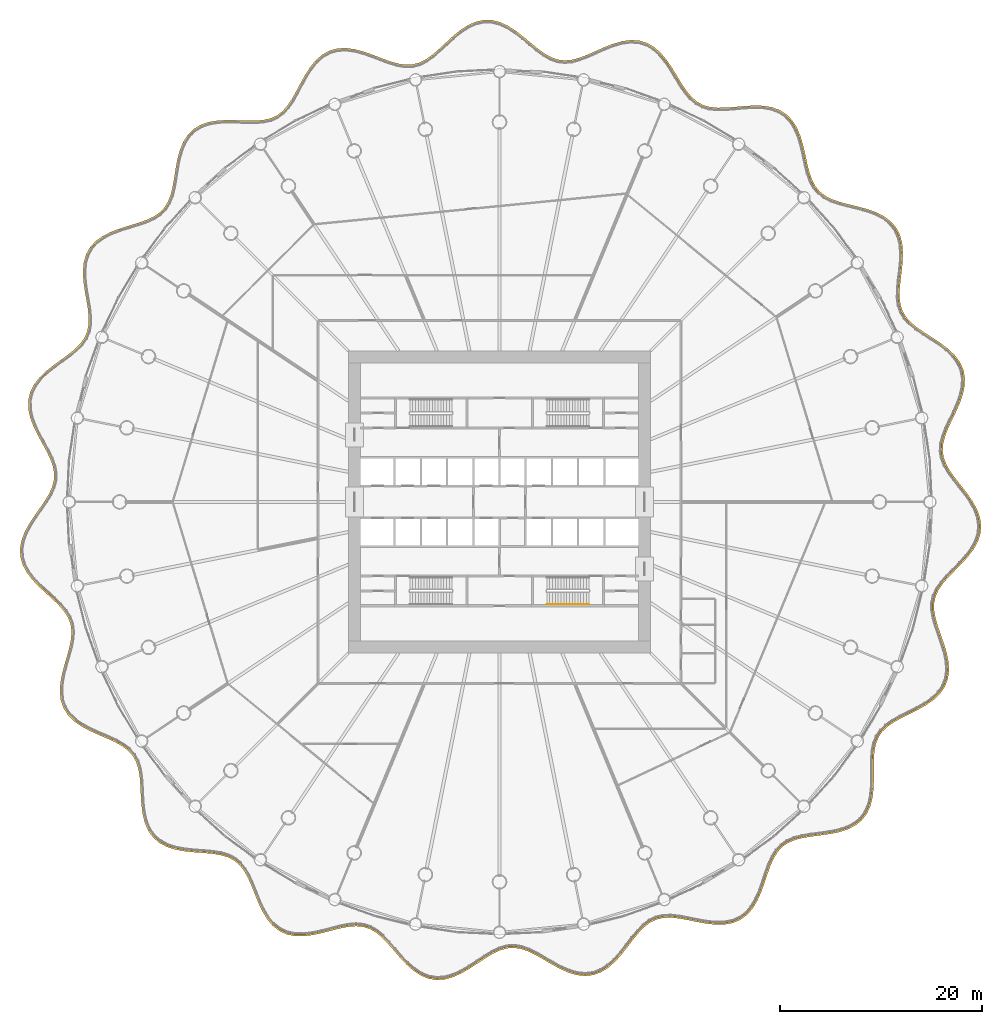
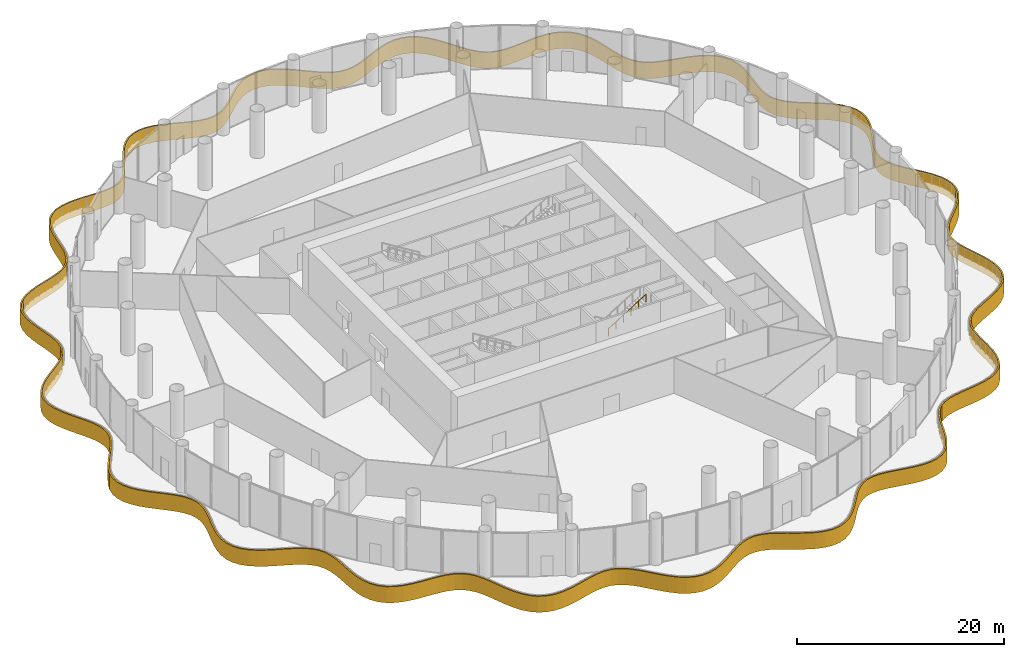
# One storey, part 33 of 37: 1 covering, 1 railing.
"""IFC4 building model written with IfcOpenShell, lengths in metres."""

from ifc_helpers import new_model, si_unit, direction, frame, origin, origin_2d, place, context, subcontext, project, spatial, polyline, circle, outline, extrude, material, layer, layer_set, type_object, element, save


model = new_model("IFC4")

# Units and contexts
model_context = context("Model", 3, precision=1e-05, world=origin(), true_north=direction((0.0, 1.0)))
body_context = subcontext(model_context, "Body", "Model", "MODEL_VIEW")
ifc_project = project(units=[si_unit("LENGTHUNIT", "METRE"), si_unit("AREAUNIT", "SQUARE_METRE"), si_unit("VOLUMEUNIT", "CUBIC_METRE"), si_unit("PLANEANGLEUNIT", "RADIAN"), si_unit("MASSUNIT", "GRAM", prefix="KILO")], contexts=[model_context])

# Site, building, storey
site_placement = place(None, origin())
site = spatial("IfcSite", under=ifc_project, at=site_placement, CompositionType="ELEMENT")
building_placement = place(site_placement, origin())
building = spatial("IfcBuilding", under=site, at=building_placement, Name="Corvane Civic Tower", CompositionType="ELEMENT")
storey_placement = place(building_placement, frame((0.0, 0.0, 11.5)))
storey = spatial("IfcBuildingStorey", under=building, at=storey_placement, Name="L02", CompositionType="ELEMENT", Elevation=11.5)

# Covering
ifc_material_1 = material(Name="Anodised aluminium copper", Category="aluminium")
ifc_layer = layer(ifc_material_1, 0.159912109375)
ifc_layer_set = layer_set([ifc_layer], Name="Anodised aluminium copper")
covering_type = type_object("IfcCoveringType", Name="PODIUM-COV-FASCIA-L02", PredefinedType="CLADDING", material=ifc_layer_set)
covering_placement = place(storey_placement, frame((0.0, 0.0, -0.800048828125)))
element("IfcCovering", 1, at=covering_placement, inside=storey, type_object=covering_type, Name="L02 ribbon fascia", PredefinedType="CLADDING", context=body_context, shape_type="SweptSolid", body=[
    extrude(outline(polyline([(0.847900390625, 47.2431640625), (0.053466796875, 47.6103515625), (-0.7587890625, 47.812744140625), (-1.57666015625, 47.826171875), (-2.384033203125, 47.646728515625), (-3.16796875, 47.292724609375), (-3.92138671875, 46.7978515625), (-4.643798828125, 46.206787109375), (-5.337646484375, 45.570556640625), (-6.008056640625, 44.943359375), (-6.662841796875, 44.377197265625), (-7.310791015625, 43.91650390625), (-7.9609375, 43.59130859375), (-8.6279296875, 43.41552734375), (-9.32763671875, 43.3896484375), (-10.07275390625, 43.502685546875), (-10.8662109375, 43.730712890625), (-11.703125, 44.035888671875), (-12.572509765625, 44.370849609375), (-13.460693359375, 44.68310546875), (-14.3515625, 44.92236328125), (-15.227783203125, 45.041748046875), (-16.071044921875, 45.005615234375), (-16.8623046875, 44.791259765625), (-17.583984375, 44.39599609375), (-18.226806640625, 43.83740234375), (-18.793701171875, 43.1474609375), (-19.29638671875, 42.366943359375), (-19.7529296875, 41.542724609375), (-20.185546875, 40.72412109375), (-20.617919921875, 39.95947265625), (-21.073486328125, 39.289306640625), (-21.57177734375, 38.7421875), (-22.130615234375, 38.3310546875), (-22.76611328125, 38.052734375), (-23.48876953125, 37.89453125), (-24.296875, 37.835205078125), (-25.175537109375, 37.84326171875), (-26.1005859375, 37.877685546875), (-27.04248046875, 37.894287109375), (-27.969970703125, 37.849365234375), (-28.850830078125, 37.70361328125), (-29.65625, 37.42578125), (-30.359375, 36.998779296875), (-30.9404296875, 36.420654296875), (-31.393310546875, 35.70849609375), (-31.727783203125, 34.889892578125), (-31.96630859375, 33.9990234375), (-32.139892578125, 33.073486328125), (-32.284423828125, 32.153076171875), (-32.438720703125, 31.275634765625), (-32.637939453125, 30.474609375), (-32.912841796875, 29.772705078125), (-33.284912109375, 29.1796875), (-33.770751953125, 28.690185546875), (-34.37744140625, 28.289306640625), (-35.100341796875, 27.958984375), (-35.91796875, 27.6748046875), (-36.79638671875, 27.40771484375), (-37.694091796875, 27.125), (-38.5673828125, 26.795166015625), (-39.372802734375, 26.3896484375), (-40.0712890625, 25.88818359375), (-40.630126953125, 25.278564453125), (-41.027587890625, 24.563720703125), (-41.258544921875, 23.759033203125), (-41.337646484375, 22.88720703125), (-41.294921875, 21.972900390625), (-41.169921875, 21.04150390625), (-41.00927734375, 20.118896484375), (-40.861083984375, 19.229248046875), (-40.772216796875, 18.393310546875), (-40.780029296875, 17.625), (-40.911376953125, 16.92919921875), (-41.18115234375, 16.296630859375), (-41.59521484375, 15.712646484375), (-42.1455078125, 15.160400390625), (-42.8076171875, 14.625), (-43.54248046875, 14.089599609375), (-44.301513671875, 13.536376953125), (-45.032470703125, 12.949462890625), (-45.685302734375, 12.31591796875), (-46.214111328125, 11.626708984375), (-46.58203125, 10.88037109375), (-46.76611328125, 10.083740234375), (-46.76123046875, 9.252685546875), (-46.58544921875, 8.404296875), (-46.271484375, 7.552490234375), (-45.8642578125, 6.708984375), (-45.414794921875, 5.8837890625), (-44.976806640625, 5.084228515625), (-44.601806640625, 4.315673828125), (-44.333251953125, 3.579833984375), (-44.200439453125, 2.87353515625), (-44.218017578125, 2.186279296875), (-44.388671875, 1.500732421875), (-44.702392578125, 0.8037109375), (-45.134521484375, 0.0869140625), (-45.64501953125, -0.6533203125), (-46.18408203125, -1.417724609375), (-46.697509765625, -2.20556640625), (-47.132080078125, -3.01318359375), (-47.440185546875, -3.8349609375), (-47.584228515625, -4.661376953125), (-47.540283203125, -5.478271484375), (-47.3046875, -6.27001953125), (-46.8955078125, -7.023681640625), (-46.34619140625, -7.736328125), (-45.701171875, -8.4091796875), (-45.0107421875, -9.049560546875), (-44.32861328125, -9.6669921875), (-43.705810546875, -10.273193359375), (-43.186279296875, -10.8798828125), (-42.801025390625, -11.500244140625), (-42.563232421875, -12.148193359375), (-42.47216796875, -12.8408203125), (-42.5166015625, -13.589599609375), (-42.673095703125, -14.396484375), (-42.905517578125, -15.253173828125), (-43.167236328125, -16.14599609375), (-43.407958984375, -17.056640625), (-43.57763671875, -17.965087890625), (-43.631591796875, -18.849853515625), (-43.53466796875, -19.68994140625), (-43.264892578125, -20.46484375), (-42.8203125, -21.156005859375), (-42.218017578125, -21.755615234375), (-41.489013671875, -22.267578125), (-40.673095703125, -22.70751953125), (-39.81494140625, -23.096435546875), (-38.962158203125, -23.460693359375), (-38.160400390625, -23.827392578125), (-37.44921875, -24.2236328125), (-36.856201171875, -24.671875), (-36.393310546875, -25.190673828125), (-36.05712890625, -25.796142578125), (-35.83447265625, -26.498291015625), (-35.70458984375, -27.294189453125), (-35.637451171875, -28.1669921875), (-35.59521484375, -29.090087890625), (-35.536376953125, -30.0302734375), (-35.418701171875, -30.952392578125), (-35.206787109375, -31.822265625), (-34.87060546875, -32.607177734375), (-34.394287109375, -33.279296875), (-33.77734375, -33.81787109375), (-33.0361328125, -34.2177734375), (-32.197021484375, -34.489501953125), (-31.2919921875, -34.658203125), (-30.35595703125, -34.75732421875), (-29.42529296875, -34.825927734375), (-28.53515625, -34.9052734375), (-27.7158203125, -35.0341796875), (-26.988525390625, -35.2451171875), (-26.36181640625, -35.561279296875), (-25.8291015625, -35.997802734375), (-25.3759765625, -36.56298828125), (-24.984130859375, -37.250244140625), (-24.63232421875, -38.037109375), (-24.293701171875, -38.88818359375), (-23.939208984375, -39.760009765625), (-23.541259765625, -40.605712890625), (-23.074951171875, -41.379638671875), (-22.522216796875, -42.041259765625), (-21.87353515625, -42.556396484375), (-21.1328125, -42.902587890625), (-20.3154296875, -43.0751953125), (-19.442626953125, -43.089599609375), (-18.535888671875, -42.97705078125), (-17.617919921875, -42.77880859375), (-16.710693359375, -42.543212890625), (-15.834228515625, -42.3203125), (-15.005615234375, -42.15771484375), (-14.236083984375, -42.095947265625), (-13.528564453125, -42.162109375), (-12.873779296875, -42.371337890625), (-12.255859375, -42.727783203125), (-11.659423828125, -43.22412109375), (-11.071044921875, -43.83447265625), (-10.477294921875, -44.52001953125), (-9.86474609375, -45.23095703125), (-9.22119140625, -45.913818359375), (-8.538330078125, -46.517578125), (-7.810302734375, -46.99560546875), (-7.0380859375, -47.310302734375), (-6.230712890625, -47.4375), (-5.4033203125, -47.3740234375), (-4.572021484375, -47.136962890625), (-3.748779296875, -46.760009765625), (-2.940673828125, -46.2880859375), (-2.154296875, -45.772705078125), (-1.39208984375, -45.268310546875), (-0.65576171875, -44.82666015625), (0.056396484375, -44.4912109375), (0.75, -44.293212890625), (1.4365234375, -44.245849609375), (2.1328125, -44.351318359375), (2.85205078125, -44.599609375), (3.600341796875, -44.9658203125), (4.378662109375, -45.41064453125), (5.183837890625, -45.884521484375), (6.010498046875, -46.333984375), (6.8505859375, -46.705810546875), (7.695068359375, -46.952880859375), (8.531494140625, -47.03759765625), (9.34375, -46.936279296875), (10.115478515625, -46.6455078125), (10.836181640625, -46.18359375), (11.50341796875, -45.583740234375), (12.123291015625, -44.888671875), (12.705810546875, -44.148681640625), (13.265380859375, -43.416259765625), (13.818115234375, -42.7412109375), (14.37890625, -42.167236328125), (14.9638671875, -41.724609375), (15.587646484375, -41.426513671875), (16.2666015625, -41.27099609375), (17.01318359375, -41.246826171875), (17.826416015625, -41.33154296875), (18.697021484375, -41.489990234375), (19.607177734375, -41.677001953125), (20.5341796875, -41.84375), (21.45458984375, -41.942626953125), (22.343017578125, -41.930419921875), (23.17578125, -41.772705078125), (23.9306640625, -41.448974609375), (24.588134765625, -40.957275390625), (25.141357421875, -40.314697265625), (25.59619140625, -39.551513671875), (25.970703125, -38.705078125), (26.28955078125, -37.818603515625), (26.58251953125, -36.937255859375), (26.881103515625, -36.10400390625), (27.21435546875, -35.357177734375), (27.6083984375, -34.722900390625), (28.08251953125, -34.21240234375), (28.652587890625, -33.8212890625), (29.328369140625, -33.536376953125), (30.105712890625, -33.337158203125), (30.966552734375, -33.1962890625), (31.881103515625, -33.077880859375), (32.8134765625, -32.943359375), (33.72509765625, -32.75390625), (34.578369140625, -32.476318359375), (35.33837890625, -32.0830078125), (35.97607421875, -31.559814453125), (36.4697265625, -30.906982421875), (36.814697265625, -30.140625), (37.02294921875, -29.28564453125), (37.12109375, -28.372314453125), (37.1455078125, -27.431640625), (37.137451171875, -26.497314453125), (37.14111328125, -25.600830078125), (37.1982421875, -24.76953125), (37.3427734375, -24.022705078125), (37.599853515625, -23.3671875), (37.98388671875, -22.796142578125), (38.502685546875, -22.294677734375), (39.14892578125, -21.84521484375), (39.8994140625, -21.428466796875), (40.717529296875, -21.02099609375), (41.55712890625, -20.597412109375), (42.36962890625, -20.133544921875), (43.10791015625, -19.608642578125), (43.72900390625, -19.007568359375), (44.197509765625, -18.322998046875), (44.49072265625, -17.559814453125), (44.6044921875, -16.73388671875), (44.5546875, -15.864501953125), (44.373291015625, -14.970947265625), (44.103515625, -14.072509765625), (43.794189453125, -13.1865234375), (43.49755859375, -12.329345703125), (43.262939453125, -11.514404296875), (43.131103515625, -10.75), (43.13134765625, -10.036865234375), (43.277587890625, -9.365234375), (43.574462890625, -8.718994140625), (44.0126953125, -8.08349609375), (44.5673828125, -7.447021484375), (45.19873046875, -6.7998046875), (45.856689453125, -6.131591796875), (46.487060546875, -5.435791015625), (47.0380859375, -4.707275390625), (47.4619140625, -3.94384765625), (47.72119140625, -3.149658203125), (47.7919921875, -2.3349609375), (47.669921875, -1.515625), (47.373291015625, -0.7060546875), (46.93603515625, 0.084716796875), (46.40283203125, 0.852294921875), (45.824951171875, 1.5947265625), (45.25732421875, 2.313720703125), (44.751708984375, 3.01171875), (44.352294921875, 3.694580078125), (44.089599609375, 4.36962890625), (43.977783203125, 5.04931640625), (44.017578125, 5.750244140625), (44.198486328125, 6.4853515625), (44.49658203125, 7.259521484375), (44.872802734375, 8.0703125), (45.27880859375, 8.91015625), (45.660888671875, 9.7705078125), (45.96728515625, 10.638671875), (46.151611328125, 11.501220703125), (46.17578125, 12.343017578125), (46.017822265625, 13.146728515625), (45.673828125, 13.895263671875), (45.162109375, 14.57861328125), (44.51513671875, 15.197265625), (43.77490234375, 15.760009765625), (42.990478515625, 16.281494140625), (42.212158203125, 16.77978515625), (41.48974609375, 17.27392578125), (40.865478515625, 17.784423828125), (40.36865234375, 18.32861328125), (40.0126953125, 18.92236328125), (39.79443359375, 19.58251953125), (39.702880859375, 20.320068359375), (39.71533203125, 21.134033203125), (39.798583984375, 22.011962890625), (39.909423828125, 22.9326171875), (40.001708984375, 23.8701171875), (40.02880859375, 24.796875), (39.949951171875, 25.68408203125), (39.73193359375, 26.50537109375), (39.35546875, 27.236083984375), (38.8193359375, 27.85693359375), (38.14013671875, 28.361328125), (37.3466796875, 28.756591796875), (36.475341796875, 29.06396484375), (35.56640625, 29.31103515625), (34.662353515625, 29.530517578125), (33.80419921875, 29.7578125), (33.02734375, 30.025390625), (32.3564453125, 30.361572265625), (31.802490234375, 30.78662109375), (31.360107421875, 31.316650390625), (31.015380859375, 31.96044921875), (30.74951171875, 32.713623046875), (30.5361328125, 33.555908203125), (30.342529296875, 34.45556640625), (30.13330078125, 35.37353515625), (29.872802734375, 36.26904296875), (29.530517578125, 37.100830078125), (29.082275390625, 37.83203125), (28.5146484375, 38.431884765625), (27.828857421875, 38.878662109375), (27.041259765625, 39.1669921875), (26.17578125, 39.31103515625), (25.2587890625, 39.33837890625), (24.320068359375, 39.287841796875), (23.38818359375, 39.203125), (22.4921875, 39.131103515625), (21.6552734375, 39.115234375), (20.89453125, 39.19189453125), (20.2158203125, 39.386962890625), (19.611572265625, 39.715576171875), (19.06640625, 40.18359375), (18.563720703125, 40.7841796875), (18.085205078125, 41.493408203125), (17.612060546875, 42.272216796875), (17.121826171875, 43.07421875), (16.59521484375, 43.8486328125), (16.014404296875, 44.54638671875), (15.367431640625, 45.122802734375), (14.650390625, 45.542236328125), (13.86865234375, 45.781494140625), (13.0380859375, 45.8359375), (12.1767578125, 45.722412109375), (11.301513671875, 45.47412109375), (10.427978515625, 45.13427734375), (9.5693359375, 44.753662109375), (8.738037109375, 44.38525390625), (7.943115234375, 44.079345703125), (7.18994140625, 43.87890625), (6.477294921875, 43.812255859375), (5.794921875, 43.894775390625), (5.126220703125, 44.12890625), (4.456787109375, 44.50634765625), (3.777587890625, 45.00146484375), (3.0810546875, 45.57470703125), (2.3623046875, 46.175048828125), (1.618408203125, 46.748779296875), (0.847900390625, 47.2431640625)]), holes=[polyline([(-0.77978515625, 47.653076171875), (0.0, 47.458740234375), (0.770751953125, 47.1025390625), (1.526123046875, 46.617919921875), (2.26220703125, 46.05029296875), (2.97900390625, 45.451416015625), (3.679443359375, 44.875), (4.3701171875, 44.37158203125), (5.059814453125, 43.982666015625), (5.75830078125, 43.738037109375), (6.47509765625, 43.6513671875), (7.21826171875, 43.720703125), (7.99267578125, 43.927001953125), (8.79931640625, 44.2373046875), (9.63427734375, 44.607421875), (10.489501953125, 44.986572265625), (11.3525390625, 45.322265625), (12.209228515625, 45.5654296875), (13.043212890625, 45.67529296875), (13.839599609375, 45.623046875), (14.585693359375, 45.394775390625), (15.27294921875, 44.99267578125), (15.89892578125, 44.434814453125), (16.46728515625, 43.752197265625), (16.9873046875, 42.987548828125), (17.475341796875, 42.18896484375), (17.950439453125, 41.406982421875), (18.435546875, 40.687744140625), (18.9521484375, 40.07080078125), (19.520263671875, 39.5830078125), (20.15478515625, 39.238037109375), (20.8642578125, 39.0341796875), (21.648681640625, 38.955078125), (22.5, 38.97119140625), (23.40185546875, 39.043701171875), (24.33154296875, 39.128173828125), (25.2607421875, 39.17822265625), (26.16015625, 39.1513671875), (27.000244140625, 39.01171875), (27.7568359375, 38.734619140625), (28.411376953125, 38.30810546875), (28.95458984375, 37.734130859375), (29.387451171875, 37.028076171875), (29.7216796875, 36.216064453125), (29.978271484375, 35.33349609375), (30.186279296875, 34.4208984375), (30.38037109375, 33.51953125), (30.59619140625, 32.667236328125), (30.86865234375, 31.895751953125), (31.226806640625, 31.226806640625), (31.69091796875, 30.67041015625), (32.271240234375, 30.225341796875), (32.965087890625, 29.877685546875), (33.757568359375, 29.6044921875), (34.623046875, 29.37548828125), (35.526611328125, 29.156005859375), (36.427734375, 28.9111328125), (37.2841796875, 28.609130859375), (38.05615234375, 28.224365234375), (38.709716796875, 27.739013671875), (39.221923828125, 27.14599609375), (39.581787109375, 26.447509765625), (39.791748046875, 25.65625), (39.86865234375, 24.7919921875), (39.842041015625, 23.88037109375), (39.75048828125, 22.949951171875), (39.639404296875, 22.029052734375), (39.555419921875, 21.142822265625), (39.542724609375, 20.311279296875), (39.6376953125, 19.547119140625), (39.8662109375, 18.855224609375), (40.23974609375, 18.232421875), (40.755126953125, 17.66796875), (41.393798828125, 17.145751953125), (42.123779296875, 16.646240234375), (42.903076171875, 16.1474609375), (43.68212890625, 15.629638671875), (44.4111328125, 15.075439453125), (45.0419921875, 14.47216796875), (45.53564453125, 13.81298828125), (45.864501953125, 13.09716796875), (46.015380859375, 12.329833984375), (45.991943359375, 11.520263671875), (45.81298828125, 10.68212890625), (45.51220703125, 9.82958984375), (45.133544921875, 8.9775390625), (44.728271484375, 8.138671875), (44.34912109375, 7.322021484375), (44.04541015625, 6.533447265625), (43.858642578125, 5.774169921875), (43.817138671875, 5.040771484375), (43.934326171875, 4.3271484375), (44.207763671875, 3.624755859375), (44.617431640625, 2.92431640625), (45.129638671875, 2.217041015625), (45.698974609375, 1.49609375), (46.27392578125, 0.75732421875), (46.800048828125, 0.0), (47.227294921875, -0.772705078125), (47.51416015625, -1.555419921875), (47.630859375, -2.33984375), (47.5634765625, -3.117431640625), (47.314697265625, -3.879638671875), (46.903564453125, -4.61962890625), (46.36376953125, -5.333740234375), (45.740234375, -6.021728515625), (45.08447265625, -6.687744140625), (44.44970703125, -7.338623046875), (43.885986328125, -7.9853515625), (43.434814453125, -8.6396484375), (43.125, -9.314208984375), (42.971435546875, -10.01953125), (42.97119140625, -10.763671875), (43.106689453125, -11.55029296875), (43.344970703125, -12.377685546875), (43.64306640625, -13.239013671875), (43.951171875, -14.121826171875), (44.218017578125, -15.010009765625), (44.3955078125, -15.885009765625), (44.44384765625, -16.7275390625), (44.334716796875, -17.519775390625), (44.054931640625, -18.248046875), (43.60595703125, -18.90380859375), (43.00537109375, -19.4853515625), (42.283447265625, -19.99853515625), (41.4814453125, -20.456298828125), (40.645751953125, -20.8779296875), (39.824951171875, -21.286865234375), (39.064208984375, -21.709228515625), (38.400634765625, -22.170654296875), (37.860595703125, -22.69287109375), (37.457275390625, -23.29248046875), (37.1884765625, -23.977783203125), (37.039306640625, -24.748779296875), (36.981201171875, -25.594970703125), (36.9775390625, -26.49755859375), (36.9853515625, -27.43017578125), (36.96142578125, -28.361572265625), (36.864990234375, -29.258056640625), (36.662841796875, -30.08837890625), (36.331298828125, -30.824951171875), (35.85986328125, -31.4482421875), (35.25, -31.94873046875), (34.516357421875, -32.328125), (33.683837890625, -32.59912109375), (32.78564453125, -32.78564453125), (31.859375, -32.91943359375), (30.943359375, -33.0380859375), (30.072998046875, -33.180419921875), (29.277099609375, -33.38427734375), (28.575439453125, -33.68017578125), (27.977294921875, -34.090576171875), (27.480712890625, -34.625244140625), (27.07275390625, -35.281982421875), (26.732421875, -36.04443359375), (26.431396484375, -36.885009765625), (26.138427734375, -37.766357421875), (25.822021484375, -38.6455078125), (25.453857421875, -39.477783203125), (25.010986328125, -40.220947265625), (24.478271484375, -40.839599609375), (23.85009765625, -41.309326171875), (23.12890625, -41.61865234375), (22.326904296875, -41.7705078125), (21.4619140625, -41.782470703125), (20.556884765625, -41.685302734375), (19.637451171875, -41.519775390625), (18.7275390625, -41.332763671875), (17.84912109375, -41.173095703125), (17.018798828125, -41.086669921875), (16.24609375, -41.111572265625), (15.53466796875, -41.2744140625), (14.880126953125, -41.587158203125), (14.27294921875, -42.046875), (13.69873046875, -42.63427734375), (13.139892578125, -43.31689453125), (12.579345703125, -44.05078125), (12.00048828125, -44.785888671875), (11.389892578125, -45.470703125), (10.73876953125, -46.055908203125), (10.04345703125, -46.501708984375), (9.30517578125, -46.77978515625), (8.529541015625, -46.87646484375), (7.725830078125, -46.795166015625), (6.90576171875, -46.55517578125), (6.0810546875, -46.190185546875), (5.2626953125, -45.745361328125), (4.458984375, -45.272216796875), (3.67529296875, -44.82421875), (2.91357421875, -44.451416015625), (2.171142578125, -44.1953125), (1.443115234375, -44.0849609375), (0.72216796875, -44.134765625), (0.0, -44.341064453125), (-0.731201171875, -44.685302734375), (-1.4775390625, -45.133056640625), (-2.2421875, -45.63916015625), (-3.02490234375, -46.152099609375), (-3.822509765625, -46.617919921875), (-4.627685546875, -46.986328125), (-5.431640625, -47.2158203125), (-6.22412109375, -47.276611328125), (-6.994873046875, -47.155029296875), (-7.735595703125, -46.853271484375), (-8.44091796875, -46.39013671875), (-9.10986328125, -45.798828125), (-9.745849609375, -45.123779296875), (-10.356201171875, -44.415283203125), (-10.952880859375, -43.7265625), (-11.55029296875, -43.106689453125), (-12.1640625, -42.59619140625), (-12.80859375, -42.22412109375), (-13.496337890625, -42.00439453125), (-14.235107421875, -41.935302734375), (-15.027587890625, -41.9990234375), (-15.869384765625, -42.1640625), (-16.75048828125, -42.38818359375), (-17.655029296875, -42.623046875), (-18.562744140625, -42.819091796875), (-19.451171875, -42.929443359375), (-20.29736328125, -42.91552734375), (-21.081787109375, -42.749755859375), (-21.788818359375, -42.41943359375), (-22.409912109375, -41.926025390625), (-22.9443359375, -41.28662109375), (-23.39990234375, -40.530029296875), (-23.792724609375, -39.69580078125), (-24.145263671875, -38.82861328125), (-24.48486328125, -37.974853515625), (-24.84130859375, -37.177734375), (-25.2431640625, -36.47265625), (-25.714599609375, -35.884765625), (-26.27392578125, -35.42626953125), (-26.9296875, -35.095703125), (-27.680908203125, -34.877685546875), (-28.515625, -34.746337890625), (-29.412353515625, -34.66650390625), (-30.341552734375, -34.597900390625), (-31.268798828125, -34.499755859375), (-32.157470703125, -34.334228515625), (-32.972900390625, -34.070068359375), (-33.685546875, -33.685546875), (-34.27490234375, -33.171142578125), (-34.730224609375, -32.528564453125), (-35.054443359375, -31.771484375), (-35.26123046875, -30.92333984375), (-35.376953125, -30.01513671875), (-35.435546875, -29.081298828125), (-35.477783203125, -28.1572265625), (-35.545654296875, -27.275146484375), (-35.678466796875, -26.4609375), (-35.909423828125, -25.732421875), (-36.26220703125, -25.097412109375), (-36.747314453125, -24.5537109375), (-37.361572265625, -24.08935546875), (-38.088134765625, -23.6845703125), (-38.8974609375, -23.314208984375), (-39.75048828125, -22.949951171875), (-40.60205078125, -22.56396484375), (-41.40478515625, -22.13134765625), (-42.11474609375, -21.632568359375), (-42.695068359375, -21.054931640625), (-43.1201171875, -20.394287109375), (-43.377685546875, -19.654052734375), (-43.470947265625, -18.845458984375), (-43.41845703125, -17.984619140625), (-43.251708984375, -17.091796875), (-43.01318359375, -16.18896484375), (-42.75146484375, -15.296630859375), (-42.51708984375, -14.4326171875), (-42.357421875, -13.609619140625), (-42.3115234375, -12.8349609375), (-42.406982421875, -12.10986328125), (-42.656494140625, -11.4296875), (-43.056884765625, -10.78515625), (-43.5888671875, -10.16357421875), (-44.218994140625, -9.55029296875), (-44.902587890625, -8.931640625), (-45.5888671875, -8.295166015625), (-46.224853515625, -7.6318359375), (-46.760986328125, -6.936279296875), (-47.156005859375, -6.208251953125), (-47.381591796875, -5.45068359375), (-47.423583984375, -4.6708984375), (-47.28515625, -3.877197265625), (-46.986083984375, -3.07958984375), (-46.559814453125, -2.287353515625), (-46.0517578125, -1.507568359375), (-45.513916015625, -0.744873046875), (-45.0, 0.0), (-44.560302734375, 0.729248046875), (-44.23681640625, 1.4482421875), (-44.05859375, 2.16455078125), (-44.0400390625, 2.886474609375), (-44.178466796875, 3.622314453125), (-44.454345703125, 4.37841796875), (-44.834716796875, 5.15771484375), (-45.2744140625, 5.96044921875), (-45.721923828125, 6.7822265625), (-46.1240234375, 7.615234375), (-46.43115234375, 8.448486328125), (-46.601318359375, 9.26953125), (-46.60595703125, 10.06591796875), (-46.430419921875, 10.826171875), (-46.07763671875, 11.541748046875), (-45.5654296875, 12.209228515625), (-44.926513671875, 12.829345703125), (-44.2041015625, 13.4091796875), (-43.4482421875, 13.960205078125), (-42.710205078125, 14.498046875), (-42.038330078125, 15.04150390625), (-41.472412109375, 15.609130859375), (-41.040771484375, 16.218017578125), (-40.75732421875, 16.88232421875), (-40.6201171875, 17.609375), (-40.612060546875, 18.401123046875), (-40.70263671875, 19.2509765625), (-40.8515625, 20.145751953125), (-41.01171875, 21.06591796875), (-41.13525390625, 21.9873046875), (-41.17724609375, 22.8837890625), (-41.1005859375, 23.7294921875), (-40.87890625, 24.501953125), (-40.49951171875, 25.184326171875), (-39.964599609375, 25.767822265625), (-39.289794921875, 26.25244140625), (-38.5029296875, 26.6484375), (-37.641845703125, 26.973876953125), (-36.7490234375, 27.2548828125), (-35.868408203125, 27.522705078125), (-35.040771484375, 27.810302734375), (-34.299560546875, 28.14892578125), (-33.668701171875, 28.565673828125), (-33.158935546875, 29.07958984375), (-32.769287109375, 29.700439453125), (-32.485107421875, 30.42578125), (-32.281982421875, 31.242431640625), (-32.126708984375, 32.126708984375), (-31.982177734375, 33.04638671875), (-31.810302734375, 33.963623046875), (-31.575927734375, 34.8388671875), (-31.250732421875, 35.634765625), (-30.81494140625, 36.31982421875), (-30.260009765625, 36.871826171875), (-29.587890625, 37.2802734375), (-28.8115234375, 37.5478515625), (-27.952880859375, 37.68994140625), (-27.0400390625, 37.734375), (-26.10498046875, 37.7177734375), (-25.17919921875, 37.683349609375), (-24.291748046875, 37.67529296875), (-23.465576171875, 37.73583984375), (-22.71630859375, 37.89990234375), (-22.050048828125, 38.191650390625), (-21.464111328125, 38.622802734375), (-20.947509765625, 39.18994140625), (-20.48193359375, 39.875), (-20.045166015625, 40.6474609375), (-19.6123046875, 41.466552734375), (-19.158935546875, 42.28466796875), (-18.6640625, 43.052978515625), (-18.111572265625, 43.725341796875), (-17.491943359375, 44.263916015625), (-16.802001953125, 44.641845703125), (-16.04638671875, 44.846435546875), (-15.235107421875, 44.88134765625), (-14.38330078125, 44.76513671875), (-13.508056640625, 44.5302734375), (-12.6279296875, 44.220703125), (-11.75927734375, 43.885986328125), (-10.915771484375, 43.578369140625), (-10.10693359375, 43.345947265625), (-9.336669921875, 43.229248046875), (-8.604248046875, 43.25634765625), (-7.904296875, 43.440673828125), (-7.22802734375, 43.77880859375), (-6.56396484375, 44.251220703125), (-5.901123046875, 44.824462890625), (-5.22900390625, 45.453125), (-4.5390625, 46.085693359375), (-3.82666015625, 46.668701171875), (-3.090576171875, 47.152099609375), (-2.333251953125, 47.494140625), (-1.560302734375, 47.665771484375), (-0.77978515625, 47.653076171875)])]), origin(), (0.0, 0.0, 1.0), 1.900146484375),
])

# Railing
ifc_material_2 = material(Name="Steel ASTM A572 Gr 50", Category="steel")
railing_type = type_object("IfcRailingType", Name="ST-HANDRAIL-900", PredefinedType="HANDRAIL", material=ifc_material_2)
railing_placement = place(storey_placement, frame((4.699951171875, -10.14990234375, 2.921875)))
element("IfcRailing", 2, at=railing_placement, inside=storey, type_object=railing_type, Name="L02 ST2 stair handrail 2", PredefinedType="HANDRAIL", context=body_context, shape_type="SweptSolid", body=[
    extrude(circle(Radius=0.02392578125, at=origin_2d()), frame((0.0, 0.0, 0.8759765625), z_axis=(0.852242915053, 0.0, 0.523146264196), x_axis=(0.0, 1.0, 0.0)), (0.0, 0.0, 1.0), 4.92822265625),
    extrude(circle(Radius=0.02099609375, at=origin_2d()), origin(), (0.0, 0.0, 1.0), 0.851806640625),
    extrude(circle(Radius=0.02099609375, at=origin_2d()), frame((0.840087890625, 0.0, 0.515625)), (0.0, 0.0, 1.0), 0.851806640625),
    extrude(circle(Radius=0.02099609375, at=origin_2d()), frame((1.679931640625, 0.0, 1.03125)), (0.0, 0.0, 1.0), 0.851806640625),
    extrude(circle(Radius=0.02099609375, at=origin_2d()), frame((2.52001953125, 0.0, 1.546875)), (0.0, 0.0, 1.0), 0.851806640625),
    extrude(circle(Radius=0.02099609375, at=origin_2d()), frame((3.35986328125, 0.0, 2.0625)), (0.0, 0.0, 1.0), 0.851806640625),
    extrude(circle(Radius=0.02099609375, at=origin_2d()), frame((4.199951171875, 0.0, 2.578125)), (0.0, 0.0, 1.0), 0.851806640625),
])

save(model, "model.ifc")
